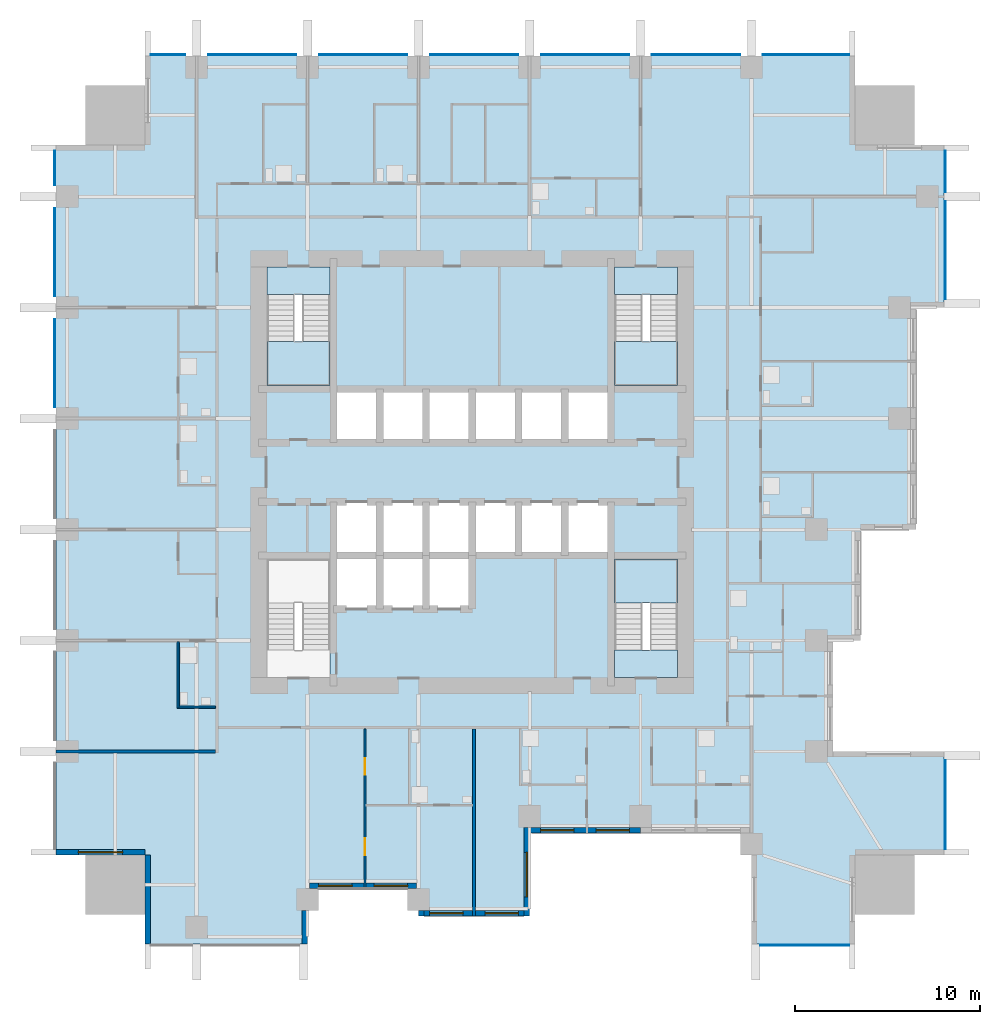
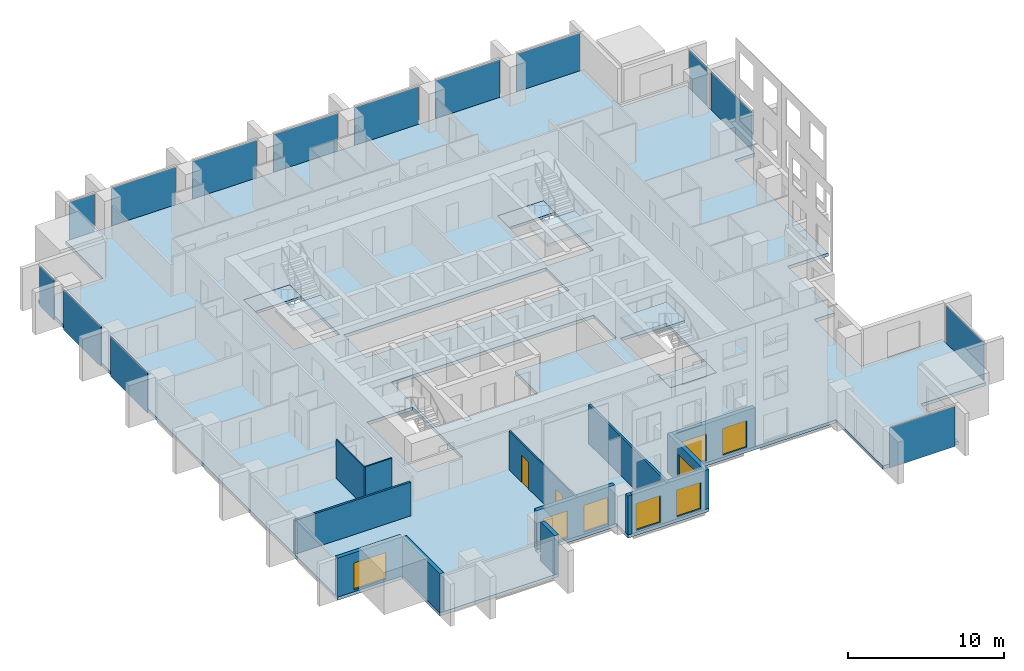
# One storey, part 3 of 11: 14 plates, 13 walls, 8 windows, 7 slabs, 2 doors, 10 openings, 8 elements without a shape of their own.
"""IFC4 building model written with IfcOpenShell, lengths in metres."""

from ifc_helpers import new_model, si_unit, direction, frame, frame_2d, origin, origin_2d, place, context, subcontext, project, spatial, polyline, rectangle, outline, extrude, material, layer, layer_set, type_object, element, fill, aggregate, save


model = new_model("IFC4")

# Units and contexts
model_context = context("Model", 3, precision=1e-05, world=origin(), true_north=direction((0.0, 1.0)))
body_context = subcontext(model_context, "Body", "Model", "MODEL_VIEW")
ifc_project = project(units=[si_unit("LENGTHUNIT", "METRE"), si_unit("AREAUNIT", "SQUARE_METRE"), si_unit("VOLUMEUNIT", "CUBIC_METRE"), si_unit("PLANEANGLEUNIT", "RADIAN"), si_unit("MASSUNIT", "GRAM", prefix="KILO")], contexts=[model_context])

# Site, building, storey
site_placement = place(None, origin())
site = spatial("IfcSite", under=ifc_project, at=site_placement, CompositionType="ELEMENT")
building_placement = place(site_placement, origin())
building = spatial("IfcBuilding", under=site, at=building_placement, Name="Amberfall Residences", CompositionType="ELEMENT")
storey_placement = place(building_placement, frame((0.0, 0.0, 43.300048828125)))
storey = spatial("IfcBuildingStorey", under=building, at=storey_placement, Name="L11", CompositionType="ELEMENT", Elevation=43.300048828125)

# Curtain wall, plate
ifc_material_1 = material(Name="Bronze anodised aluminium and glass", Category="aluminium")
curtain_wall_type = type_object("IfcCurtainWallType", Name="Curtain wall CW1 tower unit", PredefinedType="USERDEFINED", material=ifc_material_1)
curtain_wall_1_placement = place(storey_placement, origin())
curtain_wall_1 = element("IfcCurtainWall", 1, at=curtain_wall_1_placement, inside=storey, type_object=curtain_wall_type, Name="Curtain wall L11 S S10", ObjectType="UNITISED CURTAIN WALL", PredefinedType="USERDEFINED")
ifc_material_2 = material(Name="Tinted double glazed unit", Category="glass")
ifc_layer_1 = layer(ifc_material_2, 0.035888671875)
ifc_layer_set_1 = layer_set([ifc_layer_1], Name="CW1 panel 36 glazing")
plate_type = type_object("IfcPlateType", Name="CW1 panel 36 glazing", PredefinedType="CURTAIN_PANEL", material=ifc_layer_set_1)
plate_1_placement = place(storey_placement, frame((92.47509765625, 19.925048828125, -0.25), z_axis=(0.0, 0.0, 1.0), x_axis=(1.0, 0.0, 0.0)))
plate_1 = element("IfcPlate", 2, at=plate_1_placement, type_object=plate_type, Name="CW1 panel 1.1", PredefinedType="CURTAIN_PANEL", context=body_context, shape_type="SweptSolid", body=[
    extrude(rectangle(XDim=4.825927734375, YDim=0.035888671875, at=origin_2d()), origin(), (0.0, 0.0, 1.0), 3.14990234375),
])
aggregate(curtain_wall_1, [plate_1])

curtain_wall_2_placement = place(storey_placement, origin())
curtain_wall_2 = element("IfcCurtainWall", 3, at=curtain_wall_2_placement, inside=storey, type_object=curtain_wall_type, Name="Curtain wall L11 E E1", ObjectType="UNITISED CURTAIN WALL", PredefinedType="USERDEFINED")
plate_2_placement = place(storey_placement, frame((100.074951171875, 27.52490234375, -0.25), z_axis=(0.0, 0.0, 1.0), x_axis=(0.0, 1.0, 0.0)))
plate_2 = element("IfcPlate", 4, at=plate_2_placement, type_object=plate_type, Name="CW1 panel 1.1", PredefinedType="CURTAIN_PANEL", context=body_context, shape_type="SweptSolid", body=[
    extrude(rectangle(XDim=4.825927734375, YDim=0.035888671875, at=origin_2d()), origin(), (0.0, 0.0, 1.0), 3.14990234375),
])
aggregate(curtain_wall_2, [plate_2])

# Curtain wall, plates
curtain_wall_3_placement = place(storey_placement, origin())
curtain_wall_3 = element("IfcCurtainWall", 5, at=curtain_wall_3_placement, inside=storey, type_object=curtain_wall_type, Name="Curtain wall L11 E E10", ObjectType="UNITISED CURTAIN WALL", PredefinedType="USERDEFINED")
plate_3_placement = place(storey_placement, frame((100.074951171875, 57.512451171875, -0.25), z_axis=(0.0, 0.0, 1.0), x_axis=(0.0, 1.0, 0.0)))
plate_3 = element("IfcPlate", 6, at=plate_3_placement, type_object=plate_type, Name="CW1 panel 1.1", PredefinedType="CURTAIN_PANEL", context=body_context, shape_type="SweptSolid", body=[
    extrude(rectangle(XDim=5.301025390625, YDim=0.035888671875, at=origin_2d()), origin(), (0.0, 0.0, 1.0), 3.14990234375),
])
plate_4_placement = place(storey_placement, frame((100.074951171875, 61.762451171875, -0.25), z_axis=(0.0, 0.0, 1.0), x_axis=(0.0, 1.0, 0.0)))
plate_4 = element("IfcPlate", 7, at=plate_4_placement, type_object=plate_type, Name="CW1 panel 2.1", PredefinedType="CURTAIN_PANEL", context=body_context, shape_type="SweptSolid", body=[
    extrude(rectangle(XDim=2.2509765625, YDim=0.035888671875, at=origin_2d()), origin(), (0.0, 0.0, 1.0), 3.14990234375),
])
aggregate(curtain_wall_3, [plate_3, plate_4])

curtain_wall_4_placement = place(storey_placement, origin())
curtain_wall_4 = element("IfcCurtainWall", 8, at=curtain_wall_4_placement, inside=storey, type_object=curtain_wall_type, Name="Curtain wall L11 N N1", ObjectType="UNITISED CURTAIN WALL", PredefinedType="USERDEFINED")
plate_5_placement = place(storey_placement, frame((92.552490234375, 68.074951171875, -0.25), z_axis=(0.0, 0.0, 1.0), x_axis=(-1.0, 0.0, 0.0)))
plate_5 = element("IfcPlate", 9, at=plate_5_placement, type_object=plate_type, Name="CW1 panel 1.1", PredefinedType="CURTAIN_PANEL", context=body_context, shape_type="SweptSolid", body=[
    extrude(rectangle(XDim=4.6708984375, YDim=0.035888671875, at=origin_2d()), origin(), (0.0, 0.0, 1.0), 3.14990234375),
])
plate_6_placement = place(storey_placement, frame((86.60009765625, 68.074951171875, -0.25), z_axis=(0.0, 0.0, 1.0), x_axis=(-1.0, 0.0, 0.0)))
plate_6 = element("IfcPlate", 10, at=plate_6_placement, type_object=plate_type, Name="CW1 panel 2.1", PredefinedType="CURTAIN_PANEL", context=body_context, shape_type="SweptSolid", body=[
    extrude(rectangle(XDim=4.76611328125, YDim=0.035888671875, at=origin_2d()), origin(), (0.0, 0.0, 1.0), 3.14990234375),
])
plate_7_placement = place(storey_placement, frame((80.60009765625, 68.074951171875, -0.25), z_axis=(0.0, 0.0, 1.0), x_axis=(-1.0, 0.0, 0.0)))
plate_7 = element("IfcPlate", 11, at=plate_7_placement, type_object=plate_type, Name="CW1 panel 3.1", PredefinedType="CURTAIN_PANEL", context=body_context, shape_type="SweptSolid", body=[
    extrude(rectangle(XDim=4.76611328125, YDim=0.035888671875, at=origin_2d()), origin(), (0.0, 0.0, 1.0), 3.14990234375),
])
plate_8_placement = place(storey_placement, frame((74.60009765625, 68.074951171875, -0.25), z_axis=(0.0, 0.0, 1.0), x_axis=(-1.0, 0.0, 0.0)))
plate_8 = element("IfcPlate", 12, at=plate_8_placement, type_object=plate_type, Name="CW1 panel 4.1", PredefinedType="CURTAIN_PANEL", context=body_context, shape_type="SweptSolid", body=[
    extrude(rectangle(XDim=4.76611328125, YDim=0.035888671875, at=origin_2d()), origin(), (0.0, 0.0, 1.0), 3.14990234375),
])
plate_9_placement = place(storey_placement, frame((68.60009765625, 68.074951171875, -0.25), z_axis=(0.0, 0.0, 1.0), x_axis=(-1.0, 0.0, 0.0)))
plate_9 = element("IfcPlate", 13, at=plate_9_placement, type_object=plate_type, Name="CW1 panel 5.1", PredefinedType="CURTAIN_PANEL", context=body_context, shape_type="SweptSolid", body=[
    extrude(rectangle(XDim=4.76611328125, YDim=0.035888671875, at=origin_2d()), origin(), (0.0, 0.0, 1.0), 3.14990234375),
])
plate_10_placement = place(storey_placement, frame((62.60009765625, 68.074951171875, -0.25), z_axis=(0.0, 0.0, 1.0), x_axis=(-1.0, 0.0, 0.0)))
plate_10 = element("IfcPlate", 14, at=plate_10_placement, type_object=plate_type, Name="CW1 panel 6.1", PredefinedType="CURTAIN_PANEL", context=body_context, shape_type="SweptSolid", body=[
    extrude(rectangle(XDim=4.76611328125, YDim=0.035888671875, at=origin_2d()), origin(), (0.0, 0.0, 1.0), 3.14990234375),
])
plate_11_placement = place(storey_placement, frame((58.047607421875, 68.074951171875, -0.25), z_axis=(0.0, 0.0, 1.0), x_axis=(-1.0, 0.0, 0.0)))
plate_11 = element("IfcPlate", 15, at=plate_11_placement, type_object=plate_type, Name="CW1 panel 7.1", PredefinedType="CURTAIN_PANEL", context=body_context, shape_type="SweptSolid", body=[
    extrude(rectangle(XDim=1.87109375, YDim=0.035888671875, at=origin_2d()), origin(), (0.0, 0.0, 1.0), 3.14990234375),
])
aggregate(curtain_wall_4, [plate_5, plate_6, plate_7, plate_8, plate_9, plate_10, plate_11])

curtain_wall_5_placement = place(storey_placement, origin())
curtain_wall_5 = element("IfcCurtainWall", 16, at=curtain_wall_5_placement, inside=storey, type_object=curtain_wall_type, Name="Curtain wall L11 W W1", ObjectType="UNITISED CURTAIN WALL", PredefinedType="USERDEFINED")
plate_12_placement = place(storey_placement, frame((51.925048828125, 61.952392578125, -0.25), z_axis=(0.0, 0.0, 1.0), x_axis=(0.0, -1.0, 0.0)))
plate_12 = element("IfcPlate", 17, at=plate_12_placement, type_object=plate_type, Name="CW1 panel 1.1", PredefinedType="CURTAIN_PANEL", context=body_context, shape_type="SweptSolid", body=[
    extrude(rectangle(XDim=1.87109375, YDim=0.035888671875, at=origin_2d()), origin(), (0.0, 0.0, 1.0), 3.14990234375),
])
plate_13_placement = place(storey_placement, frame((51.925048828125, 57.39990234375, -0.25), z_axis=(0.0, 0.0, 1.0), x_axis=(0.0, -1.0, 0.0)))
plate_13 = element("IfcPlate", 18, at=plate_13_placement, type_object=plate_type, Name="CW1 panel 2.1", PredefinedType="CURTAIN_PANEL", context=body_context, shape_type="SweptSolid", body=[
    extrude(rectangle(XDim=4.76611328125, YDim=0.035888671875, at=origin_2d()), origin(), (0.0, 0.0, 1.0), 3.14990234375),
])
plate_14_placement = place(storey_placement, frame((51.925048828125, 51.39990234375, -0.25), z_axis=(0.0, 0.0, 1.0), x_axis=(0.0, -1.0, 0.0)))
plate_14 = element("IfcPlate", 19, at=plate_14_placement, type_object=plate_type, Name="CW1 panel 3.1", PredefinedType="CURTAIN_PANEL", context=body_context, shape_type="SweptSolid", body=[
    extrude(rectangle(XDim=4.76611328125, YDim=0.035888671875, at=origin_2d()), origin(), (0.0, 0.0, 1.0), 3.14990234375),
])
aggregate(curtain_wall_5, [plate_12, plate_13, plate_14])

# Slab
ifc_material_3 = material(Name="Concrete C80", Category="concrete")
ifc_layer_2 = layer(ifc_material_3, 0.25)
ifc_layer_set_2 = layer_set([ifc_layer_2], Name="Floor slab 250 C80")
slab_type_1 = type_object("IfcSlabType", Name="Floor slab 250 C80", PredefinedType="FLOOR", material=ifc_layer_set_2)
slab_1_placement = place(storey_placement, frame((0.0, 0.0, -0.25)))
element("IfcSlab", 20, at=slab_1_placement, inside=storey, type_object=slab_type_1, Name="Floor slab S3 L11", PredefinedType="FLOOR", context=body_context, shape_type="SweptSolid", body=[
    extrude(outline(polyline([(89.60009765625, 20.0), (89.60009765625, 26.0), (83.60009765625, 26.0), (77.60009765625, 26.0), (77.60009765625, 21.5), (71.60009765625, 21.5), (71.60009765625, 23.0), (65.60009765625, 23.0), (65.60009765625, 20.0), (56.800048828125, 20.0), (56.800048828125, 24.800048828125), (52.0, 24.800048828125), (52.0, 63.199951171875), (56.800048828125, 63.199951171875), (56.800048828125, 68.0), (95.199951171875, 68.0), (95.199951171875, 63.199951171875), (100.0, 63.199951171875), (100.0, 54.39990234375), (98.5, 54.39990234375), (98.5, 48.39990234375), (98.5, 42.39990234375), (95.5, 42.39990234375), (95.5, 36.39990234375), (94.0, 36.39990234375), (94.0, 30.39990234375), (100.0, 30.39990234375), (100.0, 24.800048828125), (95.199951171875, 24.800048828125), (95.199951171875, 20.0), (89.60009765625, 20.0)]), holes=[polyline([(85.60009765625, 34.39990234375), (85.60009765625, 40.800048828125), (82.199951171875, 40.800048828125), (82.199951171875, 34.39990234375), (85.60009765625, 34.39990234375)]), polyline([(82.199951171875, 50.199951171875), (85.60009765625, 50.199951171875), (85.60009765625, 56.60009765625), (82.199951171875, 56.60009765625), (82.199951171875, 50.199951171875)]), polyline([(69.5, 50.0), (67.0, 50.0), (67.0, 47.10009765625), (69.5, 47.10009765625), (72.0, 47.10009765625), (74.5, 47.10009765625), (77.0, 47.10009765625), (79.5, 47.10009765625), (82.0, 47.10009765625), (82.0, 50.0), (79.5, 50.0), (77.0, 50.0), (74.5, 50.0), (72.0, 50.0), (69.5, 50.0)]), polyline([(74.5, 41.0), (77.0, 41.0), (79.5, 41.0), (82.0, 41.0), (82.0, 43.89990234375), (79.5, 43.89990234375), (77.0, 43.89990234375), (74.5, 43.89990234375), (72.0, 43.89990234375), (69.5, 43.89990234375), (67.0, 43.89990234375), (67.0, 41.0), (67.0, 38.10009765625), (69.5, 38.10009765625), (72.0, 38.10009765625), (74.5, 38.10009765625), (74.5, 41.0)]), polyline([(66.800048828125, 34.39990234375), (66.800048828125, 40.800048828125), (63.39990234375, 40.800048828125), (63.39990234375, 34.39990234375), (66.800048828125, 34.39990234375)]), polyline([(66.800048828125, 50.199951171875), (66.800048828125, 56.60009765625), (63.39990234375, 56.60009765625), (63.39990234375, 50.199951171875), (66.800048828125, 50.199951171875)])]), origin(), (0.0, 0.0, 1.0), 0.25),
])

# Stair, slabs
ifc_material_4 = material(Name="Concrete C40", Category="concrete")
stair_type = type_object("IfcStairType", Name="Exit stair 20 risers 165.0 mm", PredefinedType="HALF_TURN_STAIR", material=ifc_material_4)
stair_1_placement = place(storey_placement, origin())
stair_1 = element("IfcStair", 21, at=stair_1_placement, inside=storey, type_object=stair_type, Name="L11 Exit stair 2", PredefinedType="HALF_TURN_STAIR")
ifc_layer_3 = layer(ifc_material_4, 0.199951171875)
ifc_layer_set_3 = layer_set([ifc_layer_3], Name="Stair landing 200")
slab_type_2 = type_object("IfcSlabType", Name="Stair landing 200", PredefinedType="LANDING", material=ifc_layer_set_3)
slab_2_placement = place(storey_placement, frame((0.0, 0.0, 1.449951171875)))
slab_2 = element("IfcSlab", 22, at=slab_2_placement, type_object=slab_type_2, Name="ST3 landing 1", PredefinedType="LANDING", context=body_context, shape_type="SweptSolid", body=[
    extrude(outline(polyline([(85.60009765625, 38.419921875), (85.60009765625, 40.800048828125), (82.199951171875, 40.800048828125), (82.199951171875, 38.419921875), (85.60009765625, 38.419921875)])), origin(), (0.0, 0.0, 1.0), 0.199951171875),
])
slab_3_placement = place(storey_placement, frame((0.0, 0.0, -0.199951171875)))
slab_3 = element("IfcSlab", 23, at=slab_3_placement, type_object=slab_type_2, Name="ST3 landing 2", PredefinedType="LANDING", context=body_context, shape_type="SweptSolid", body=[
    extrude(outline(polyline([(85.60009765625, 34.39990234375), (85.60009765625, 35.89990234375), (82.199951171875, 35.89990234375), (82.199951171875, 34.39990234375), (85.60009765625, 34.39990234375)])), origin(), (0.0, 0.0, 1.0), 0.199951171875),
])
aggregate(stair_1, [slab_2, slab_3])

stair_2_placement = place(storey_placement, origin())
stair_2 = element("IfcStair", 24, at=stair_2_placement, inside=storey, type_object=stair_type, Name="L11 Exit stair 3", PredefinedType="HALF_TURN_STAIR")
slab_4_placement = place(storey_placement, frame((0.0, 0.0, 1.449951171875)))
slab_4 = element("IfcSlab", 25, at=slab_4_placement, type_object=slab_type_2, Name="ST3 landing 1", PredefinedType="LANDING", context=body_context, shape_type="SweptSolid", body=[
    extrude(outline(polyline([(82.199951171875, 52.580078125), (82.199951171875, 50.199951171875), (85.60009765625, 50.199951171875), (85.60009765625, 52.580078125), (82.199951171875, 52.580078125)])), origin(), (0.0, 0.0, 1.0), 0.199951171875),
])
slab_5_placement = place(storey_placement, frame((0.0, 0.0, -0.199951171875)))
slab_5 = element("IfcSlab", 26, at=slab_5_placement, type_object=slab_type_2, Name="ST3 landing 2", PredefinedType="LANDING", context=body_context, shape_type="SweptSolid", body=[
    extrude(outline(polyline([(82.199951171875, 56.60009765625), (82.199951171875, 55.10009765625), (85.60009765625, 55.10009765625), (85.60009765625, 56.60009765625), (82.199951171875, 56.60009765625)])), origin(), (0.0, 0.0, 1.0), 0.199951171875),
])
aggregate(stair_2, [slab_4, slab_5])

stair_3_placement = place(storey_placement, origin())
stair_3 = element("IfcStair", 27, at=stair_3_placement, inside=storey, type_object=stair_type, Name="L11 Exit stair 4", PredefinedType="HALF_TURN_STAIR")
slab_6_placement = place(storey_placement, frame((0.0, 0.0, 1.449951171875)))
slab_6 = element("IfcSlab", 28, at=slab_6_placement, type_object=slab_type_2, Name="ST3 landing 1", PredefinedType="LANDING", context=body_context, shape_type="SweptSolid", body=[
    extrude(outline(polyline([(63.39990234375, 52.580078125), (63.39990234375, 50.199951171875), (66.800048828125, 50.199951171875), (66.800048828125, 52.580078125), (63.39990234375, 52.580078125)])), origin(), (0.0, 0.0, 1.0), 0.199951171875),
])
slab_7_placement = place(storey_placement, frame((0.0, 0.0, -0.199951171875)))
slab_7 = element("IfcSlab", 29, at=slab_7_placement, type_object=slab_type_2, Name="ST3 landing 2", PredefinedType="LANDING", context=body_context, shape_type="SweptSolid", body=[
    extrude(outline(polyline([(63.39990234375, 56.60009765625), (63.39990234375, 55.10009765625), (66.800048828125, 55.10009765625), (66.800048828125, 56.60009765625), (63.39990234375, 56.60009765625)])), origin(), (0.0, 0.0, 1.0), 0.199951171875),
])
aggregate(stair_3, [slab_6, slab_7])

# Walls
ifc_material_5 = material(Name="Pale stone cladding on insulated backing", Category="masonry")
ifc_layer_4 = layer(ifc_material_5, 0.300048828125)
ifc_layer_set_4 = layer_set([ifc_layer_4], Name="Bronze clad wall 300")
wall_type_1 = type_object("IfcWallType", Name="Bronze clad wall 300", PredefinedType="SOLIDWALL", material=ifc_layer_set_4)
wall_1_placement = place(storey_placement, frame((65.449951171875, 20.0, 0.0), z_axis=(0.0, 0.0, 1.0), x_axis=(0.0, 1.0, 0.0)))
element("IfcWall", 30, at=wall_1_placement, inside=storey, type_object=wall_type_1, Name="External wall L11 S", PredefinedType="SOLIDWALL", context=body_context, shape_type="SweptSolid", body=[
    extrude(rectangle(XDim=1.800048828125, YDim=0.300048828125, at=frame_2d((0.89990234375, 0.0))), origin(), (0.0, 0.0, 1.0), 3.050048828125),
])
wall_2_placement = place(storey_placement, frame((71.75, 21.800048828125, 0.0), z_axis=(0.0, 0.0, 1.0), x_axis=(0.0, -1.0, 0.0)))
element("IfcWall", 31, at=wall_2_placement, inside=storey, type_object=wall_type_1, Name="External wall L11 S", PredefinedType="SOLIDWALL", context=body_context, shape_type="SweptSolid", body=[
    extrude(rectangle(XDim=0.300048828125, YDim=0.300048828125, at=frame_2d((0.14990234375, 0.0))), origin(), (0.0, 0.0, 1.0), 3.050048828125),
])

# Wall, opening, window
wall_3_placement = place(storey_placement, frame((77.449951171875, 21.5, 0.0), z_axis=(0.0, 0.0, 1.0), x_axis=(0.0, 1.0, 0.0)))
wall_3 = element("IfcWall", 32, at=wall_3_placement, inside=storey, type_object=wall_type_1, Name="External wall L11 S", PredefinedType="SOLIDWALL", context=body_context, shape_type="SweptSolid", body=[
    extrude(rectangle(XDim=4.800048828125, YDim=0.300048828125, at=frame_2d((2.39990234375, 0.0))), origin(), (0.0, 0.0, 1.0), 3.050048828125),
])
opening_1_placement = place(wall_3_placement, frame((1.050048828125, 0.0, 0.14990234375)))
opening_1 = element("IfcOpeningElement", 33, at=opening_1_placement, cuts=wall_3, Name="Opening WN5", PredefinedType="OPENING", context=body_context, shape_type="SweptSolid", body=[
    extrude(rectangle(XDim=2.39990234375, YDim=2.10009765625, at=frame_2d((1.199951171875, 1.050048828125))), frame((0.0, 0.159912109375, 0.0), z_axis=(0.0, -1.0, 0.0), x_axis=(1.0, 0.0, 0.0)), (0.0, 0.0, 1.0), 0.320068359375),
])
ifc_material_6 = material(Name="Bronze aluminium framed glazing", Category="aluminium")
window_type_1 = type_object("IfcWindowType", Name="Glazed opening 2400 x 2100 bronze", PartitioningType="DOUBLE_PANEL_VERTICAL", PredefinedType="WINDOW", material=ifc_material_6)
window_1_placement = place(opening_1_placement, origin())
window_1 = element("IfcWindow", 34, at=window_1_placement, inside=storey, type_object=window_type_1, Name="Window L11 S", OverallHeight=2.10009765625, OverallWidth=2.39990234375, PartitioningType="DOUBLE_PANEL_VERTICAL", PredefinedType="WINDOW", context=body_context, shape_type="SweptSolid", body=[
    extrude(rectangle(XDim=2.39990234375, YDim=2.10009765625, at=frame_2d((1.199951171875, 1.050048828125))), frame((0.0, 0.030029296875, 0.0), z_axis=(0.0, -1.0, 0.0), x_axis=(1.0, 0.0, 0.0)), (0.0, 0.0, 1.0), 0.06005859375),
])
fill(opening_1, window_1)

wall_4_placement = place(storey_placement, frame((52.0, 24.949951171875, 0.0), z_axis=(0.0, 0.0, 1.0), x_axis=(1.0, 0.0, 0.0)))
wall_4 = element("IfcWall", 35, at=wall_4_placement, inside=storey, type_object=wall_type_1, Name="External wall L11 SW", PredefinedType="SOLIDWALL", context=body_context, shape_type="SweptSolid", body=[
    extrude(rectangle(XDim=4.800048828125, YDim=0.300048828125, at=frame_2d((2.39990234375, 0.0))), origin(), (0.0, 0.0, 1.0), 3.050048828125),
])
opening_2_placement = place(wall_4_placement, frame((1.199951171875, 0.0, 0.14990234375)))
opening_2 = element("IfcOpeningElement", 36, at=opening_2_placement, cuts=wall_4, Name="Opening WN5", PredefinedType="OPENING", context=body_context, shape_type="SweptSolid", body=[
    extrude(rectangle(XDim=2.39990234375, YDim=2.10009765625, at=frame_2d((1.199951171875, 1.050048828125))), frame((0.0, 0.159912109375, 0.0), z_axis=(0.0, -1.0, 0.0), x_axis=(1.0, 0.0, 0.0)), (0.0, 0.0, 1.0), 0.320068359375),
])
window_2_placement = place(opening_2_placement, origin())
window_2 = element("IfcWindow", 37, at=window_2_placement, inside=storey, type_object=window_type_1, Name="Window L11 SW", OverallHeight=2.10009765625, OverallWidth=2.39990234375, PartitioningType="DOUBLE_PANEL_VERTICAL", PredefinedType="WINDOW", context=body_context, shape_type="SweptSolid", body=[
    extrude(rectangle(XDim=2.39990234375, YDim=2.10009765625, at=frame_2d((1.199951171875, 1.050048828125))), frame((0.0, 0.030029296875, 0.0), z_axis=(0.0, -1.0, 0.0), x_axis=(1.0, 0.0, 0.0)), (0.0, 0.0, 1.0), 0.06005859375),
])
fill(opening_2, window_2)

# Wall
wall_5_placement = place(storey_placement, frame((56.949951171875, 24.800048828125, 0.0), z_axis=(0.0, 0.0, 1.0), x_axis=(0.0, -1.0, 0.0)))
element("IfcWall", 38, at=wall_5_placement, inside=storey, type_object=wall_type_1, Name="External wall L11 SW", PredefinedType="SOLIDWALL", context=body_context, shape_type="SweptSolid", body=[
    extrude(rectangle(XDim=4.800048828125, YDim=0.300048828125, at=frame_2d((2.39990234375, 0.0))), origin(), (0.0, 0.0, 1.0), 3.050048828125),
])

# Wall, openings, windows
wall_6_placement = place(storey_placement, frame((65.7099609375, 23.14990234375, 0.0), z_axis=(0.0, 0.0, 1.0), x_axis=(1.0, 0.0, 0.0)))
wall_6 = element("IfcWall", 39, at=wall_6_placement, inside=storey, type_object=wall_type_1, Name="Stone wall L11 S", PredefinedType="SOLIDWALL", context=body_context, shape_type="SweptSolid", body=[
    extrude(rectangle(XDim=5.780029296875, YDim=0.300048828125, at=frame_2d((2.89013671875, 0.0))), origin(), (0.0, 0.0, 1.0), 3.050048828125),
])
opening_3_placement = place(wall_6_placement, frame((0.489990234375, 0.0, 0.14990234375)))
opening_3 = element("IfcOpeningElement", 40, at=opening_3_placement, cuts=wall_6, Name="Opening WN6", PredefinedType="OPENING", context=body_context, shape_type="SweptSolid", body=[
    extrude(rectangle(XDim=1.800048828125, YDim=2.10009765625, at=frame_2d((0.89990234375, 1.050048828125))), frame((0.0, 0.159912109375, 0.0), z_axis=(0.0, -1.0, 0.0), x_axis=(1.0, 0.0, 0.0)), (0.0, 0.0, 1.0), 0.320068359375),
])
opening_4_placement = place(wall_6_placement, frame((3.489990234375, 0.0, 0.14990234375)))
opening_4 = element("IfcOpeningElement", 41, at=opening_4_placement, cuts=wall_6, Name="Opening WN6", PredefinedType="OPENING", context=body_context, shape_type="SweptSolid", body=[
    extrude(rectangle(XDim=1.800048828125, YDim=2.10009765625, at=frame_2d((0.89990234375, 1.050048828125))), frame((0.0, 0.159912109375, 0.0), z_axis=(0.0, -1.0, 0.0), x_axis=(1.0, 0.0, 0.0)), (0.0, 0.0, 1.0), 0.320068359375),
])
window_type_2 = type_object("IfcWindowType", Name="Glazed opening 1800 x 2100 bronze", PartitioningType="DOUBLE_PANEL_VERTICAL", PredefinedType="WINDOW", material=ifc_material_6)
window_3_placement = place(opening_3_placement, origin())
window_3 = element("IfcWindow", 42, at=window_3_placement, inside=storey, type_object=window_type_2, Name="Window L11 S", OverallHeight=2.10009765625, OverallWidth=1.800048828125, PartitioningType="DOUBLE_PANEL_VERTICAL", PredefinedType="WINDOW", context=body_context, shape_type="SweptSolid", body=[
    extrude(rectangle(XDim=1.800048828125, YDim=2.10009765625, at=frame_2d((0.89990234375, 1.050048828125))), frame((0.0, 0.030029296875, 0.0), z_axis=(0.0, -1.0, 0.0), x_axis=(1.0, 0.0, 0.0)), (0.0, 0.0, 1.0), 0.06005859375),
])
fill(opening_3, window_3)
window_4_placement = place(opening_4_placement, origin())
window_4 = element("IfcWindow", 43, at=window_4_placement, inside=storey, type_object=window_type_2, Name="Window L11 S", OverallHeight=2.10009765625, OverallWidth=1.800048828125, PartitioningType="DOUBLE_PANEL_VERTICAL", PredefinedType="WINDOW", context=body_context, shape_type="SweptSolid", body=[
    extrude(rectangle(XDim=1.800048828125, YDim=2.10009765625, at=frame_2d((0.89990234375, 1.050048828125))), frame((0.0, 0.030029296875, 0.0), z_axis=(0.0, -1.0, 0.0), x_axis=(1.0, 0.0, 0.0)), (0.0, 0.0, 1.0), 0.06005859375),
])
fill(opening_4, window_4)

wall_7_placement = place(storey_placement, frame((71.89990234375, 21.64990234375, 0.0), z_axis=(0.0, 0.0, 1.0), x_axis=(1.0, 0.0, 0.0)))
wall_7 = element("IfcWall", 44, at=wall_7_placement, inside=storey, type_object=wall_type_1, Name="Stone wall L11 S", PredefinedType="SOLIDWALL", context=body_context, shape_type="SweptSolid", body=[
    extrude(rectangle(XDim=5.400146484375, YDim=0.300048828125, at=frame_2d((2.7001953125, 0.0))), origin(), (0.0, 0.0, 1.0), 3.050048828125),
])
opening_5_placement = place(wall_7_placement, frame((0.300048828125, 0.0, 0.14990234375)))
opening_5 = element("IfcOpeningElement", 45, at=opening_5_placement, cuts=wall_7, Name="Opening WN6", PredefinedType="OPENING", context=body_context, shape_type="SweptSolid", body=[
    extrude(rectangle(XDim=1.800048828125, YDim=2.10009765625, at=frame_2d((0.89990234375, 1.050048828125))), frame((0.0, 0.159912109375, 0.0), z_axis=(0.0, -1.0, 0.0), x_axis=(1.0, 0.0, 0.0)), (0.0, 0.0, 1.0), 0.320068359375),
])
opening_6_placement = place(wall_7_placement, frame((3.300048828125, 0.0, 0.14990234375)))
opening_6 = element("IfcOpeningElement", 46, at=opening_6_placement, cuts=wall_7, Name="Opening WN6", PredefinedType="OPENING", context=body_context, shape_type="SweptSolid", body=[
    extrude(rectangle(XDim=1.800048828125, YDim=2.10009765625, at=frame_2d((0.89990234375, 1.050048828125))), frame((0.0, 0.159912109375, 0.0), z_axis=(0.0, -1.0, 0.0), x_axis=(1.0, 0.0, 0.0)), (0.0, 0.0, 1.0), 0.320068359375),
])
window_5_placement = place(opening_5_placement, origin())
window_5 = element("IfcWindow", 47, at=window_5_placement, inside=storey, type_object=window_type_2, Name="Window L11 S", OverallHeight=2.10009765625, OverallWidth=1.800048828125, PartitioningType="DOUBLE_PANEL_VERTICAL", PredefinedType="WINDOW", context=body_context, shape_type="SweptSolid", body=[
    extrude(rectangle(XDim=1.800048828125, YDim=2.10009765625, at=frame_2d((0.89990234375, 1.050048828125))), frame((0.0, 0.030029296875, 0.0), z_axis=(0.0, -1.0, 0.0), x_axis=(1.0, 0.0, 0.0)), (0.0, 0.0, 1.0), 0.06005859375),
])
fill(opening_5, window_5)
window_6_placement = place(opening_6_placement, origin())
window_6 = element("IfcWindow", 48, at=window_6_placement, inside=storey, type_object=window_type_2, Name="Window L11 S", OverallHeight=2.10009765625, OverallWidth=1.800048828125, PartitioningType="DOUBLE_PANEL_VERTICAL", PredefinedType="WINDOW", context=body_context, shape_type="SweptSolid", body=[
    extrude(rectangle(XDim=1.800048828125, YDim=2.10009765625, at=frame_2d((0.89990234375, 1.050048828125))), frame((0.0, 0.030029296875, 0.0), z_axis=(0.0, -1.0, 0.0), x_axis=(1.0, 0.0, 0.0)), (0.0, 0.0, 1.0), 0.06005859375),
])
fill(opening_6, window_6)

wall_8_placement = place(storey_placement, frame((77.60009765625, 26.14990234375, 0.0), z_axis=(0.0, 0.0, 1.0), x_axis=(1.0, 0.0, 0.0)))
wall_8 = element("IfcWall", 49, at=wall_8_placement, inside=storey, type_object=wall_type_1, Name="Stone wall L11 S", PredefinedType="SOLIDWALL", context=body_context, shape_type="SweptSolid", body=[
    extrude(rectangle(XDim=6.0, YDim=0.300048828125, at=frame_2d((3.0, 0.0))), origin(), (0.0, 0.0, 1.0), 3.050048828125),
])
opening_7_placement = place(wall_8_placement, frame((0.60009765625, 0.0, 0.14990234375)))
opening_7 = element("IfcOpeningElement", 50, at=opening_7_placement, cuts=wall_8, Name="Opening WN6", PredefinedType="OPENING", context=body_context, shape_type="SweptSolid", body=[
    extrude(rectangle(XDim=1.800048828125, YDim=2.10009765625, at=frame_2d((0.89990234375, 1.050048828125))), frame((0.0, 0.159912109375, 0.0), z_axis=(0.0, -1.0, 0.0), x_axis=(1.0, 0.0, 0.0)), (0.0, 0.0, 1.0), 0.320068359375),
])
opening_8_placement = place(wall_8_placement, frame((3.60009765625, 0.0, 0.14990234375)))
opening_8 = element("IfcOpeningElement", 51, at=opening_8_placement, cuts=wall_8, Name="Opening WN6", PredefinedType="OPENING", context=body_context, shape_type="SweptSolid", body=[
    extrude(rectangle(XDim=1.800048828125, YDim=2.10009765625, at=frame_2d((0.89990234375, 1.050048828125))), frame((0.0, 0.159912109375, 0.0), z_axis=(0.0, -1.0, 0.0), x_axis=(1.0, 0.0, 0.0)), (0.0, 0.0, 1.0), 0.320068359375),
])
window_7_placement = place(opening_7_placement, origin())
window_7 = element("IfcWindow", 52, at=window_7_placement, inside=storey, type_object=window_type_2, Name="Window L11 S", OverallHeight=2.10009765625, OverallWidth=1.800048828125, PartitioningType="DOUBLE_PANEL_VERTICAL", PredefinedType="WINDOW", context=body_context, shape_type="SweptSolid", body=[
    extrude(rectangle(XDim=1.800048828125, YDim=2.10009765625, at=frame_2d((0.89990234375, 1.050048828125))), frame((0.0, 0.030029296875, 0.0), z_axis=(0.0, -1.0, 0.0), x_axis=(1.0, 0.0, 0.0)), (0.0, 0.0, 1.0), 0.06005859375),
])
fill(opening_7, window_7)
window_8_placement = place(opening_8_placement, origin())
window_8 = element("IfcWindow", 53, at=window_8_placement, inside=storey, type_object=window_type_2, Name="Window L11 S", OverallHeight=2.10009765625, OverallWidth=1.800048828125, PartitioningType="DOUBLE_PANEL_VERTICAL", PredefinedType="WINDOW", context=body_context, shape_type="SweptSolid", body=[
    extrude(rectangle(XDim=1.800048828125, YDim=2.10009765625, at=frame_2d((0.89990234375, 1.050048828125))), frame((0.0, 0.030029296875, 0.0), z_axis=(0.0, -1.0, 0.0), x_axis=(1.0, 0.0, 0.0)), (0.0, 0.0, 1.0), 0.06005859375),
])
fill(opening_8, window_8)

# Wall
ifc_material_7 = material(Name="Gypsum board on metal stud")
ifc_layer_5 = layer(ifc_material_7, 0.10009765625)
ifc_layer_set_5 = layer_set([ifc_layer_5], Name="Flat partition 100")
wall_type_2 = type_object("IfcWallType", Name="Flat partition 100", PredefinedType="PARTITIONING", material=ifc_layer_set_5)
wall_9_placement = place(storey_placement, frame((58.60009765625, 32.75, 0.0), z_axis=(0.0, 0.0, 1.0), x_axis=(0.0, 1.0, 0.0)))
element("IfcWall", 54, at=wall_9_placement, inside=storey, type_object=wall_type_2, Name="Partition 001", PredefinedType="PARTITIONING", context=body_context, shape_type="SweptSolid", body=[
    extrude(rectangle(XDim=3.60009765625, YDim=0.10009765625, at=frame_2d((1.800048828125, 0.0))), origin(), (0.0, 0.0, 1.0), 3.050048828125),
])

# Wall, openings, doors
wall_10_placement = place(storey_placement, frame((68.699951171875, 31.625, 0.0), z_axis=(0.0, 0.0, 1.0), x_axis=(0.0, -1.0, 0.0)))
wall_10 = element("IfcWall", 55, at=wall_10_placement, inside=storey, type_object=wall_type_2, Name="Partition 007", PredefinedType="PARTITIONING", context=body_context, shape_type="SweptSolid", body=[
    extrude(rectangle(XDim=8.625, YDim=0.10009765625, at=frame_2d((4.3125, 0.0))), origin(), (0.0, 0.0, 1.0), 3.050048828125),
])
opening_9_placement = place(wall_10_placement, frame((1.574951171875, 0.0, 0.0)))
opening_9 = element("IfcOpeningElement", 56, at=opening_9_placement, cuts=wall_10, Name="Opening D41", PredefinedType="OPENING", context=body_context, shape_type="SweptSolid", body=[
    extrude(rectangle(XDim=0.89990234375, YDim=2.10009765625, at=frame_2d((0.449951171875, 1.050048828125))), frame((0.0, 0.06005859375, 0.0), z_axis=(0.0, -1.0, 0.0), x_axis=(1.0, 0.0, 0.0)), (0.0, 0.0, 1.0), 0.1201171875),
])
opening_10_placement = place(wall_10_placement, frame((5.925048828125, 0.0, 0.0)))
opening_10 = element("IfcOpeningElement", 57, at=opening_10_placement, cuts=wall_10, Name="Opening D41", PredefinedType="OPENING", context=body_context, shape_type="SweptSolid", body=[
    extrude(rectangle(XDim=0.89990234375, YDim=2.10009765625, at=frame_2d((0.449951171875, 1.050048828125))), frame((0.0, 0.06005859375, 0.0), z_axis=(0.0, -1.0, 0.0), x_axis=(1.0, 0.0, 0.0)), (0.0, 0.0, 1.0), 0.1201171875),
])
ifc_material_8 = material(Name="Timber", Category="wood")
door_type = type_object("IfcDoorType", Name="Internal door 900 x 2100", OperationType="SINGLE_SWING_LEFT", PredefinedType="DOOR", material=ifc_material_8)
door_1_placement = place(opening_9_placement, origin())
door_1 = element("IfcDoor", 58, at=door_1_placement, inside=storey, type_object=door_type, Name="Door 1101 kitchen", OperationType="SINGLE_SWING_LEFT", OverallHeight=2.10009765625, OverallWidth=0.89990234375, PredefinedType="DOOR", context=body_context, shape_type="SweptSolid", body=[
    extrude(rectangle(XDim=0.89990234375, YDim=2.10009765625, at=frame_2d((0.449951171875, 1.050048828125))), frame((0.0, 0.02490234375, 0.0), z_axis=(0.0, -1.0, 0.0), x_axis=(1.0, 0.0, 0.0)), (0.0, 0.0, 1.0), 0.050048828125),
])
fill(opening_9, door_1)
door_2_placement = place(opening_10_placement, origin())
door_2 = element("IfcDoor", 59, at=door_2_placement, inside=storey, type_object=door_type, Name="Door 1101 bedroom1", OperationType="SINGLE_SWING_LEFT", OverallHeight=2.10009765625, OverallWidth=0.89990234375, PredefinedType="DOOR", context=body_context, shape_type="SweptSolid", body=[
    extrude(rectangle(XDim=0.89990234375, YDim=2.10009765625, at=frame_2d((0.449951171875, 1.050048828125))), frame((0.0, 0.02490234375, 0.0), z_axis=(0.0, -1.0, 0.0), x_axis=(1.0, 0.0, 0.0)), (0.0, 0.0, 1.0), 0.050048828125),
])
fill(opening_10, door_2)

# Walls
wall_11_placement = place(storey_placement, frame((58.64990234375, 32.800048828125, 0.0), z_axis=(0.0, 0.0, 1.0), x_axis=(1.0, 0.0, 0.0)))
element("IfcWall", 60, at=wall_11_placement, inside=storey, type_object=wall_type_2, Name="Partition 043", PredefinedType="PARTITIONING", context=body_context, shape_type="SweptSolid", body=[
    extrude(rectangle(XDim=1.97509765625, YDim=0.10009765625, at=frame_2d((0.987548828125, 0.0))), origin(), (0.0, 0.0, 1.0), 3.050048828125),
])
ifc_material_9 = material(Name="Blockwork, plastered", Category="masonry")
ifc_layer_6 = layer(ifc_material_9, 0.14990234375)
ifc_layer_set_6 = layer_set([ifc_layer_6], Name="Flat separating wall 150")
wall_type_3 = type_object("IfcWallType", Name="Flat separating wall 150", PredefinedType="PARTITIONING", material=ifc_layer_set_6)
wall_12_placement = place(storey_placement, frame((74.60009765625, 21.5, 0.0), z_axis=(0.0, 0.0, 1.0), x_axis=(0.0, 1.0, 0.0)))
element("IfcWall", 61, at=wall_12_placement, inside=storey, type_object=wall_type_3, Name="Separating wall 049", PredefinedType="PARTITIONING", context=body_context, shape_type="SweptSolid", body=[
    extrude(rectangle(XDim=10.125, YDim=0.14990234375, at=frame_2d((5.0625, 0.0))), origin(), (0.0, 0.0, 1.0), 3.050048828125),
])
wall_13_placement = place(storey_placement, frame((52.0, 30.39990234375, 0.0), z_axis=(0.0, 0.0, 1.0), x_axis=(1.0, 0.0, 0.0)))
element("IfcWall", 62, at=wall_13_placement, inside=storey, type_object=wall_type_3, Name="Separating wall 058", PredefinedType="PARTITIONING", context=body_context, shape_type="SweptSolid", body=[
    extrude(rectangle(XDim=8.625, YDim=0.14990234375, at=frame_2d((4.3125, 0.0))), origin(), (0.0, 0.0, 1.0), 2.64697265625),
])

save(model, "model.ifc")
